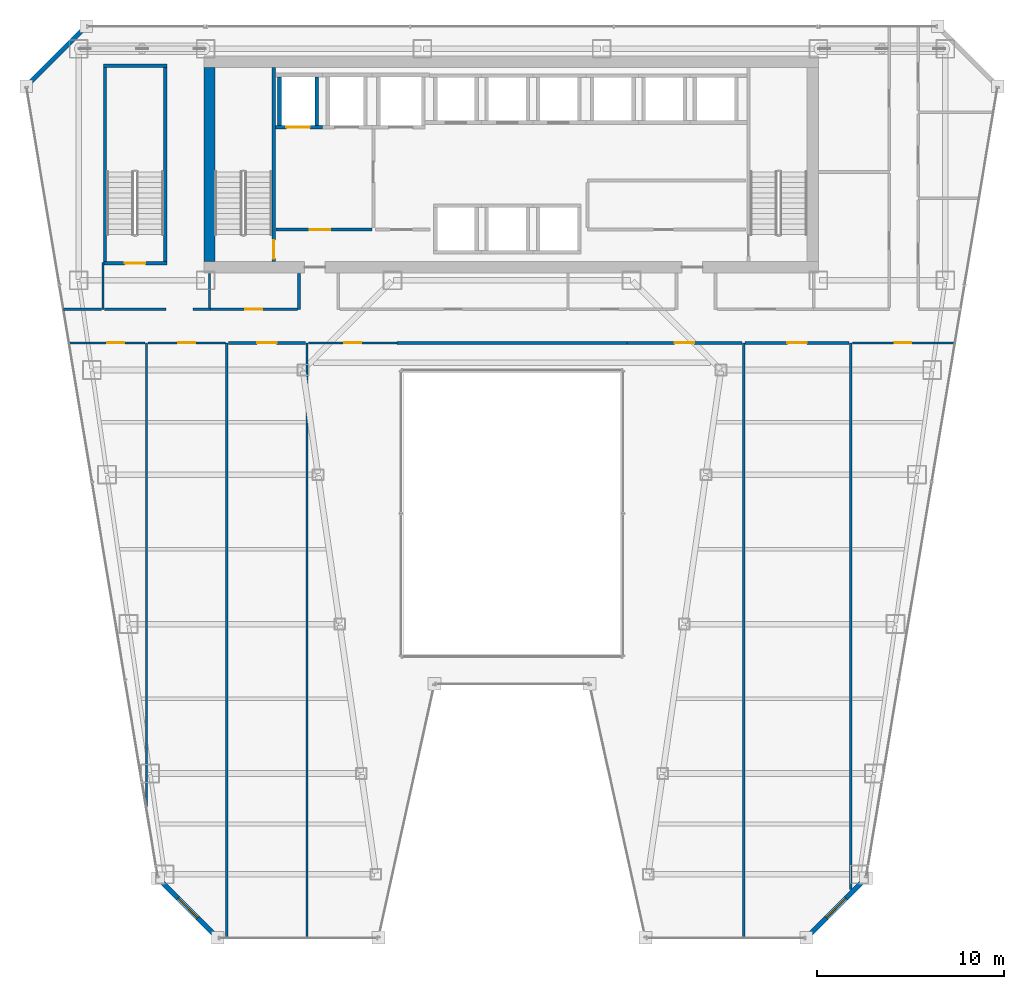
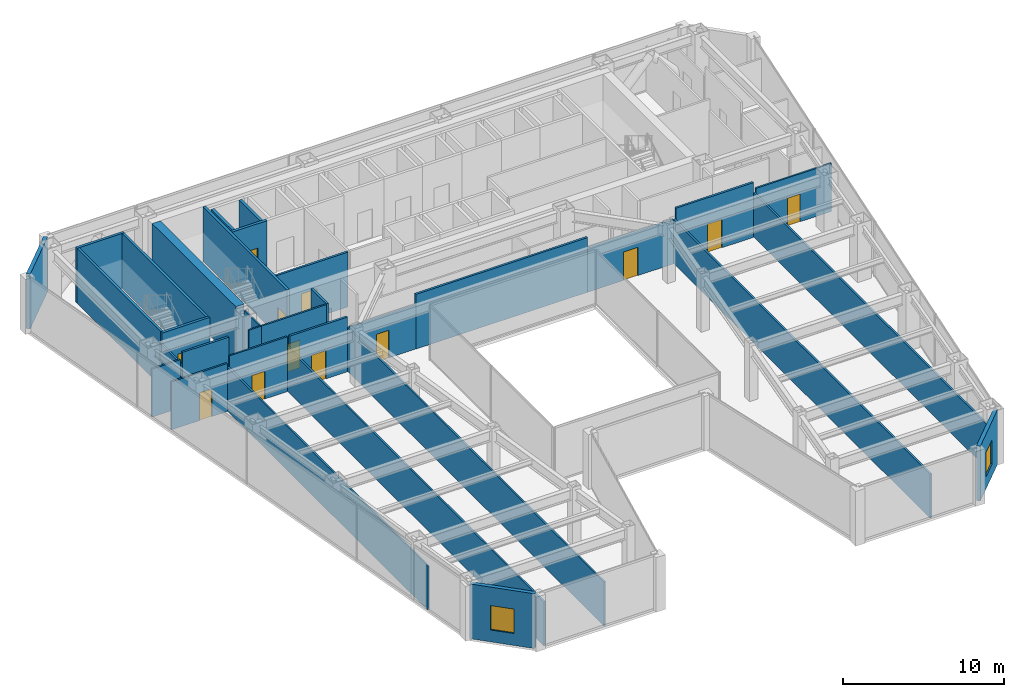
# One storey, part 32 of 37: 33 walls, 12 doors, 2 windows, 14 openings.
"""IFC4 building model written with IfcOpenShell, lengths in metres."""

from ifc_helpers import new_model, si_unit, direction, frame, frame_2d, origin, place, context, subcontext, project, spatial, rectangle, extrude, material, layer, layer_set, type_object, element, fill, save


model = new_model("IFC4")

# Units and contexts
model_context = context("Model", 3, precision=1e-05, world=origin(), true_north=direction((0.0, 1.0)))
body_context = subcontext(model_context, "Body", "Model", "MODEL_VIEW")
ifc_project = project(units=[si_unit("LENGTHUNIT", "METRE"), si_unit("AREAUNIT", "SQUARE_METRE"), si_unit("VOLUMEUNIT", "CUBIC_METRE"), si_unit("PLANEANGLEUNIT", "RADIAN"), si_unit("MASSUNIT", "GRAM", prefix="KILO")], contexts=[model_context])

# Site, building, storey
site_placement = place(None, origin())
site = spatial("IfcSite", under=ifc_project, at=site_placement, CompositionType="ELEMENT")
building_placement = place(site_placement, origin())
building = spatial("IfcBuilding", under=site, at=building_placement, Name="Saevonmaru Cultural Tower", CompositionType="ELEMENT")
storey_placement = place(building_placement, frame((0.0, 0.0, 114.800048828125)))
storey = spatial("IfcBuildingStorey", under=building, at=storey_placement, Name="L24", CompositionType="ELEMENT", Elevation=114.800048828125)

# Wall
ifc_material_1 = material(Name="Concrete C60/75", Category="concrete")
ifc_layer_1 = layer(ifc_material_1, 0.60009765625, Name="Concrete C60/75")
ifc_layer_set_1 = layer_set([ifc_layer_1], Name="Concrete C60/75")
wall_type_1 = type_object("IfcWallType", Name="WL-CORE-600", PredefinedType="SHEAR", material=ifc_layer_set_1)
wall_1_placement = place(storey_placement, frame((13.800048828125, 43.39990234375, 0.0), z_axis=(0.0, 0.0, 1.0), x_axis=(0.0, 1.0, 0.0)))
element("IfcWall", 1, at=wall_1_placement, inside=storey, type_object=wall_type_1, Name="L24 Tower RC core shear wall W", PredefinedType="SHEAR", context=body_context, shape_type="SweptSolid", body=[
    extrude(rectangle(XDim=10.400146484375, YDim=0.60009765625, at=frame_2d((5.2001953125, 0.0))), origin(), (0.0, 0.0, 1.0), 4.14990234375),
])

# Wall, opening, door
ifc_material_2 = material(Name="Gypsum Fireboard Partition", Category="gypsum")
ifc_layer_2 = layer(ifc_material_2, 0.14990234375, Name="Gypsum Fireboard Partition")
ifc_layer_set_2 = layer_set([ifc_layer_2], Name="Gypsum Fireboard Partition")
wall_type_2 = type_object("IfcWallType", Name="WL-CORE-PART-150", PredefinedType="PARTITIONING", material=ifc_layer_set_2)
wall_2_placement = place(storey_placement, frame((17.360107421875, 45.1201171875, 0.0), z_axis=(0.0, 0.0, 1.0), x_axis=(1.0, 0.0, 0.0)))
wall_2 = element("IfcWall", 2, at=wall_2_placement, inside=storey, type_object=wall_type_2, Name="L24 Firefighting Lift Lobby South Wall", PredefinedType="PARTITIONING", context=body_context, shape_type="SweptSolid", body=[
    extrude(rectangle(XDim=5.139892578125, YDim=0.14990234375, at=frame_2d((2.56982421875, 0.0))), origin(), (0.0, 0.0, 1.0), 4.14990234375),
])
opening_1_placement = place(wall_2_placement, frame((1.800048828125, 0.0, 0.0)))
opening_1 = element("IfcOpeningElement", 3, at=opening_1_placement, cuts=wall_2, Name="Opening FD-2", PredefinedType="OPENING", context=body_context, shape_type="SweptSolid", body=[
    extrude(rectangle(XDim=1.10009765625, YDim=2.14990234375, at=frame_2d((0.550048828125, 1.074951171875))), frame((0.0, 0.0849609375, 0.0), z_axis=(0.0, -1.0, 0.0), x_axis=(1.0, 0.0, 0.0)), (0.0, 0.0, 1.0), 0.169921875),
])
ifc_material_3 = material(Name="Satin Bronze Anodised Aluminium", Category="aluminium")
door_type_1 = type_object("IfcDoorType", Name="DR-FD60-1100", OperationType="SINGLE_SWING_LEFT", PredefinedType="DOOR", material=ifc_material_3)
door_1_placement = place(opening_1_placement, origin())
door_1 = element("IfcDoor", 4, at=door_1_placement, inside=storey, type_object=door_type_1, Name="L24 Firefighting Lift Lobby South Door", OperationType="SINGLE_SWING_LEFT", OverallHeight=2.14990234375, OverallWidth=1.10009765625, PredefinedType="DOOR", context=body_context, shape_type="SweptSolid", body=[
    extrude(rectangle(XDim=1.10009765625, YDim=2.14990234375, at=frame_2d((0.550048828125, 1.074951171875))), frame((0.0, 0.02490234375, 0.0), z_axis=(0.0, -1.0, 0.0), x_axis=(1.0, 0.0, 0.0)), (0.0, 0.0, 1.0), 0.050048828125),
])
fill(opening_1, door_1)

# Wall, opening, window
ifc_material_4 = material(Name="Granite-Clad Precast Concrete C40/50", Category="masonry")
ifc_layer_3 = layer(ifc_material_4, 0.260009765625, Name="Granite-Clad Precast Concrete C40/50")
ifc_layer_set_3 = layer_set([ifc_layer_3], Name="Granite-Clad Precast Concrete C40/50")
wall_type_3 = type_object("IfcWallType", Name="WL-EXT-SPANDREL-260", PredefinedType="STANDARD", material=ifc_layer_set_3)
wall_3_placement = place(storey_placement, frame((11.162109375, 10.286865234375, 0.0), z_axis=(0.0, 0.0, 1.0), x_axis=(0.70707775441, -0.707135806771, 0.0)))
wall_3 = element("IfcWall", 5, at=wall_3_placement, inside=storey, type_object=wall_type_3, Name="L24 Chamfer Corner Spandrel Wall E1", PredefinedType="STANDARD", context=body_context, shape_type="SweptSolid", body=[
    extrude(rectangle(XDim=4.20556640625, YDim=0.260009765625, at=frame_2d((2.102783203125, 0.0))), origin(), (0.0, 0.0, 1.0), 4.14990234375),
])
opening_2_placement = place(wall_3_placement, frame((1.35302734375, 0.0, 0.89990234375)))
opening_2 = element("IfcOpeningElement", 6, at=opening_2_placement, cuts=wall_3, Name="Opening W-2B", PredefinedType="OPENING", context=body_context, shape_type="SweptSolid", body=[
    extrude(rectangle(XDim=1.5, YDim=1.85009765625, at=frame_2d((0.75, 0.925048828125))), frame((0.0, 0.14013671875, 0.0), z_axis=(0.0, -1.0, 0.0), x_axis=(1.0, 0.0, 0.0)), (0.0, 0.0, 1.0), 0.280029296875),
])
window_type = type_object("IfcWindowType", Name="WN-DECO-1500x1850", PartitioningType="SINGLE_PANEL", PredefinedType="WINDOW", material=ifc_material_3)
window_1_placement = place(opening_2_placement, origin())
window_1 = element("IfcWindow", 7, at=window_1_placement, inside=storey, type_object=window_type, Name="L24 Chamfer Corner Bronze Window E1", OverallHeight=1.85009765625, OverallWidth=1.5, PartitioningType="SINGLE_PANEL", PredefinedType="WINDOW", context=body_context, shape_type="SweptSolid", body=[
    extrude(rectangle(XDim=1.5, YDim=1.85009765625, at=frame_2d((0.75, 0.925048828125))), frame((0.0, 0.030029296875, 0.0), z_axis=(0.0, -1.0, 0.0), x_axis=(1.0, 0.0, 0.0)), (0.0, 0.0, 1.0), 0.06005859375),
])
fill(opening_2, window_1)

wall_4_placement = place(storey_placement, frame((45.8642578125, 7.31298828125, 0.0), z_axis=(0.0, 0.0, 1.0), x_axis=(0.70707775441, 0.707135806771, 0.0)))
wall_4 = element("IfcWall", 8, at=wall_4_placement, inside=storey, type_object=wall_type_3, Name="L24 Chamfer Corner Spandrel Wall E7", PredefinedType="STANDARD", context=body_context, shape_type="SweptSolid", body=[
    extrude(rectangle(XDim=4.20556640625, YDim=0.260009765625, at=frame_2d((2.102783203125, 0.0))), origin(), (0.0, 0.0, 1.0), 4.14990234375),
])
opening_3_placement = place(wall_4_placement, frame((1.35302734375, 0.0, 0.89990234375)))
opening_3 = element("IfcOpeningElement", 9, at=opening_3_placement, cuts=wall_4, Name="Opening W-2B", PredefinedType="OPENING", context=body_context, shape_type="SweptSolid", body=[
    extrude(rectangle(XDim=1.5, YDim=1.85009765625, at=frame_2d((0.75, 0.925048828125))), frame((0.0, 0.14013671875, 0.0), z_axis=(0.0, -1.0, 0.0), x_axis=(1.0, 0.0, 0.0)), (0.0, 0.0, 1.0), 0.280029296875),
])
window_2_placement = place(opening_3_placement, origin())
window_2 = element("IfcWindow", 10, at=window_2_placement, inside=storey, type_object=window_type, Name="L24 Chamfer Corner Bronze Window E7", OverallHeight=1.85009765625, OverallWidth=1.5, PartitioningType="SINGLE_PANEL", PredefinedType="WINDOW", context=body_context, shape_type="SweptSolid", body=[
    extrude(rectangle(XDim=1.5, YDim=1.85009765625, at=frame_2d((0.75, 0.925048828125))), frame((0.0, 0.030029296875, 0.0), z_axis=(0.0, -1.0, 0.0), x_axis=(1.0, 0.0, 0.0)), (0.0, 0.0, 1.0), 0.06005859375),
])
fill(opening_3, window_2)

# Walls
wall_5_placement = place(storey_placement, frame((7.0869140625, 55.886962890625, 0.0), z_axis=(0.0, 0.0, 1.0), x_axis=(-0.707106781187, -0.707106781187, 0.0)))
element("IfcWall", 11, at=wall_5_placement, inside=storey, type_object=wall_type_3, Name="L24 Chamfer Corner Spandrel Wall E11", PredefinedType="STANDARD", context=body_context, shape_type="SweptSolid", body=[
    extrude(rectangle(XDim=4.205810546875, YDim=0.260009765625, at=frame_2d((2.10302734375, 0.0))), origin(), (0.0, 0.0, 1.0), 4.14990234375),
])
ifc_layer_4 = layer(ifc_material_2, 0.14990234375, Name="Gypsum Fireboard Partition")
ifc_layer_set_4 = layer_set([ifc_layer_4], Name="Gypsum Fireboard Partition")
wall_type_4 = type_object("IfcWallType", Name="WL-PART-FIRE-150", PredefinedType="PARTITIONING", material=ifc_layer_set_4)
wall_6_placement = place(storey_placement, frame((8.179931640625, 40.85009765625, 0.0), z_axis=(0.0, 0.0, 1.0), x_axis=(1.0, 0.0, 0.0)))
element("IfcWall", 12, at=wall_6_placement, inside=storey, type_object=wall_type_4, Name="L24 Stair ST-3 South Vestibule Wall", PredefinedType="PARTITIONING", context=body_context, shape_type="SweptSolid", body=[
    extrude(rectangle(XDim=3.300048828125, YDim=0.14990234375, at=frame_2d((1.64990234375, 0.0))), origin(), (0.0, 0.0, 1.0), 4.14990234375),
])
wall_7_placement = place(storey_placement, frame((18.60009765625, 40.85009765625, 0.0), z_axis=(0.0, 0.0, 1.0), x_axis=(0.0, 1.0, 0.0)))
element("IfcWall", 13, at=wall_7_placement, inside=storey, type_object=wall_type_4, Name="L24 Core Portal Side Wall W1", PredefinedType="PARTITIONING", context=body_context, shape_type="SweptSolid", body=[
    extrude(rectangle(XDim=1.929931640625, YDim=0.14990234375, at=frame_2d((0.96484375, 0.0))), origin(), (0.0, 0.0, 1.0), 4.14990234375),
])

# Wall, opening, door
wall_8_placement = place(storey_placement, frame((14.81005859375, 39.050048828125, 0.0), z_axis=(0.0, 0.0, 1.0), x_axis=(1.0, 0.0, 0.0)))
wall_8 = element("IfcWall", 14, at=wall_8_placement, inside=storey, type_object=wall_type_4, Name="L24 Sculpture Study Gallery Corridor Wall", PredefinedType="PARTITIONING", context=body_context, shape_type="SweptSolid", body=[
    extrude(rectangle(XDim=4.139892578125, YDim=0.14990234375, at=frame_2d((2.06982421875, 0.0))), origin(), (0.0, 0.0, 1.0), 4.14990234375),
])
opening_4_placement = place(wall_8_placement, frame((1.544921875, 0.0, 0.0)))
opening_4 = element("IfcOpeningElement", 15, at=opening_4_placement, cuts=wall_8, Name="Opening ID-1", PredefinedType="OPENING", context=body_context, shape_type="SweptSolid", body=[
    extrude(rectangle(XDim=1.050048828125, YDim=2.14990234375, at=frame_2d((0.52490234375, 1.074951171875))), frame((0.0, 0.0849609375, 0.0), z_axis=(0.0, -1.0, 0.0), x_axis=(1.0, 0.0, 0.0)), (0.0, 0.0, 1.0), 0.169921875),
])
door_type_2 = type_object("IfcDoorType", Name="DR-INT-1050", OperationType="SINGLE_SWING_LEFT", PredefinedType="DOOR", material=ifc_material_3)
door_2_placement = place(opening_4_placement, origin())
door_2 = element("IfcDoor", 16, at=door_2_placement, inside=storey, type_object=door_type_2, Name="L24 Sculpture Study Gallery Door", OperationType="SINGLE_SWING_LEFT", OverallHeight=2.14990234375, OverallWidth=1.050048828125, PredefinedType="DOOR", context=body_context, shape_type="SweptSolid", body=[
    extrude(rectangle(XDim=1.050048828125, YDim=2.14990234375, at=frame_2d((0.52490234375, 1.074951171875))), frame((0.0, 0.02490234375, 0.0), z_axis=(0.0, -1.0, 0.0), x_axis=(1.0, 0.0, 0.0)), (0.0, 0.0, 1.0), 0.050048828125),
])
fill(opening_4, door_2)

# Wall
wall_9_placement = place(storey_placement, frame((23.85009765625, 39.050048828125, 0.0), z_axis=(0.0, 0.0, 1.0), x_axis=(1.0, 0.0, 0.0)))
element("IfcWall", 17, at=wall_9_placement, inside=storey, type_object=wall_type_4, Name="L24 North Atrium Corridor Wall", PredefinedType="PARTITIONING", context=body_context, shape_type="SweptSolid", body=[
    extrude(rectangle(XDim=12.2998046875, YDim=0.14990234375, at=frame_2d((6.14990234375, 0.0))), origin(), (0.0, 0.0, 1.0), 4.14990234375),
])

# Wall, opening, door
wall_10_placement = place(storey_placement, frame((36.14990234375, 39.050048828125, 0.0), z_axis=(0.0, 0.0, 1.0), x_axis=(1.0, 0.0, 0.0)))
wall_10 = element("IfcWall", 18, at=wall_10_placement, inside=storey, type_object=wall_type_4, Name="L24 Sculpture Study Gallery Corridor Wall", PredefinedType="PARTITIONING", context=body_context, shape_type="SweptSolid", body=[
    extrude(rectangle(XDim=6.16259765625, YDim=0.14990234375, at=frame_2d((3.081298828125, 0.0))), origin(), (0.0, 0.0, 1.0), 3.3349609375),
])
opening_5_placement = place(wall_10_placement, frame((2.555908203125, 0.0, 0.0)))
opening_5 = element("IfcOpeningElement", 19, at=opening_5_placement, cuts=wall_10, Name="Opening ID-1", PredefinedType="OPENING", context=body_context, shape_type="SweptSolid", body=[
    extrude(rectangle(XDim=1.050048828125, YDim=2.14990234375, at=frame_2d((0.52490234375, 1.074951171875))), frame((0.0, 0.0849609375, 0.0), z_axis=(0.0, -1.0, 0.0), x_axis=(1.0, 0.0, 0.0)), (0.0, 0.0, 1.0), 0.169921875),
])
door_3_placement = place(opening_5_placement, origin())
door_3 = element("IfcDoor", 20, at=door_3_placement, inside=storey, type_object=door_type_2, Name="L24 Sculpture Study Gallery Door", OperationType="SINGLE_SWING_LEFT", OverallHeight=2.14990234375, OverallWidth=1.050048828125, PredefinedType="DOOR", context=body_context, shape_type="SweptSolid", body=[
    extrude(rectangle(XDim=1.050048828125, YDim=2.14990234375, at=frame_2d((0.52490234375, 1.074951171875))), frame((0.0, 0.02490234375, 0.0), z_axis=(0.0, -1.0, 0.0), x_axis=(1.0, 0.0, 0.0)), (0.0, 0.0, 1.0), 0.050048828125),
])
fill(opening_5, door_3)

wall_11_placement = place(storey_placement, frame((42.487548828125, 39.050048828125, 0.0), z_axis=(0.0, 0.0, 1.0), x_axis=(1.0, 0.0, 0.0)))
wall_11 = element("IfcWall", 21, at=wall_11_placement, inside=storey, type_object=wall_type_4, Name="L24 Contemporary Photography Gallery Corridor Wall", PredefinedType="PARTITIONING", context=body_context, shape_type="SweptSolid", body=[
    extrude(rectangle(XDim=5.554931640625, YDim=0.14990234375, at=frame_2d((2.77734375, 0.0))), origin(), (0.0, 0.0, 1.0), 4.14990234375),
])
opening_6_placement = place(wall_11_placement, frame((2.251953125, 0.0, 0.0)))
opening_6 = element("IfcOpeningElement", 22, at=opening_6_placement, cuts=wall_11, Name="Opening ID-1", PredefinedType="OPENING", context=body_context, shape_type="SweptSolid", body=[
    extrude(rectangle(XDim=1.050048828125, YDim=2.14990234375, at=frame_2d((0.52490234375, 1.074951171875))), frame((0.0, 0.0849609375, 0.0), z_axis=(0.0, -1.0, 0.0), x_axis=(1.0, 0.0, 0.0)), (0.0, 0.0, 1.0), 0.169921875),
])
door_4_placement = place(opening_6_placement, origin())
door_4 = element("IfcDoor", 23, at=door_4_placement, inside=storey, type_object=door_type_2, Name="L24 Contemporary Photography Gallery Door", OperationType="SINGLE_SWING_RIGHT", OverallHeight=2.14990234375, OverallWidth=1.050048828125, PredefinedType="DOOR", context=body_context, shape_type="SweptSolid", body=[
    extrude(rectangle(XDim=1.050048828125, YDim=2.14990234375, at=frame_2d((0.52490234375, 1.074951171875))), frame((0.0, 0.02490234375, 0.0), z_axis=(0.0, -1.0, 0.0), x_axis=(1.0, 0.0, 0.0)), (0.0, 0.0, 1.0), 0.050048828125),
])
fill(opening_6, door_4)

# Walls
ifc_layer_5 = layer(ifc_material_2, 0.1201171875, Name="Gypsum Fireboard Partition")
ifc_layer_set_5 = layer_set([ifc_layer_5], Name="Gypsum Fireboard Partition")
wall_type_5 = type_object("IfcWallType", Name="WL-PART-GYP-120", PredefinedType="PARTITIONING", material=ifc_layer_set_5)
wall_12_placement = place(storey_placement, frame((12.919921875, 40.85009765625, 0.0), z_axis=(0.0, 0.0, 1.0), x_axis=(1.0, 0.0, 0.0)))
element("IfcWall", 24, at=wall_12_placement, inside=storey, type_object=wall_type_5, Name="L24 NW Inner South Wall", PredefinedType="PARTITIONING", context=body_context, shape_type="SweptSolid", body=[
    extrude(rectangle(XDim=0.93017578125, YDim=0.1201171875, at=frame_2d((0.465087890625, 0.0))), origin(), (0.0, 0.0, 1.0), 4.14990234375),
])
wall_13_placement = place(storey_placement, frame((13.800048828125, 40.929931640625, 0.0), z_axis=(0.0, 0.0, 1.0), x_axis=(0.0, 1.0, 0.0)))
element("IfcWall", 25, at=wall_13_placement, inside=storey, type_object=wall_type_5, Name="L24 NW Inner Core Return", PredefinedType="PARTITIONING", context=body_context, shape_type="SweptSolid", body=[
    extrude(rectangle(XDim=1.85009765625, YDim=0.1201171875, at=frame_2d((0.925048828125, 0.0))), origin(), (0.0, 0.0, 1.0), 4.14990234375),
])
wall_14_placement = place(storey_placement, frame((8.10009765625, 40.85009765625, 0.0), z_axis=(0.0, 0.0, 1.0), x_axis=(0.0, 1.0, 0.0)))
element("IfcWall", 26, at=wall_14_placement, inside=storey, type_object=wall_type_5, Name="L24 NW Stair Return", PredefinedType="PARTITIONING", context=body_context, shape_type="SweptSolid", body=[
    extrude(rectangle(XDim=2.5, YDim=0.1201171875, at=frame_2d((1.25, 0.0))), origin(), (0.0, 0.0, 1.0), 3.3349609375),
])
wall_15_placement = place(storey_placement, frame((5.99169921875, 40.85009765625, 0.0), z_axis=(0.0, 0.0, 1.0), x_axis=(1.0, 0.0, 0.0)))
element("IfcWall", 27, at=wall_15_placement, inside=storey, type_object=wall_type_5, Name="L24 Digital Humanities Office Corridor Wall", PredefinedType="PARTITIONING", context=body_context, shape_type="SweptSolid", body=[
    extrude(rectangle(XDim=2.0283203125, YDim=0.1201171875, at=frame_2d((1.01416015625, 0.0))), origin(), (0.0, 0.0, 1.0), 3.635009765625),
])

# Wall, opening, door
wall_16_placement = place(storey_placement, frame((13.85009765625, 40.85009765625, 0.0), z_axis=(0.0, 0.0, 1.0), x_axis=(1.0, 0.0, 0.0)))
wall_16 = element("IfcWall", 28, at=wall_16_placement, inside=storey, type_object=wall_type_5, Name="L24 Visiting Fellows Office Corridor Wall", PredefinedType="PARTITIONING", context=body_context, shape_type="SweptSolid", body=[
    extrude(rectangle(XDim=4.65478515625, YDim=0.1201171875, at=frame_2d((2.327392578125, 0.0))), origin(), (0.0, 0.0, 1.0), 4.14990234375),
])
opening_7_placement = place(wall_16_placement, frame((1.876953125, 0.0, 0.0)))
opening_7 = element("IfcOpeningElement", 29, at=opening_7_placement, cuts=wall_16, Name="Opening ID-2", PredefinedType="OPENING", context=body_context, shape_type="SweptSolid", body=[
    extrude(rectangle(XDim=0.89990234375, YDim=2.10009765625, at=frame_2d((0.449951171875, 1.050048828125))), frame((0.0, 0.070068359375, 0.0), z_axis=(0.0, -1.0, 0.0), x_axis=(1.0, 0.0, 0.0)), (0.0, 0.0, 1.0), 0.14013671875),
])
ifc_material_5 = material(Name="Acoustic Stained Oak Timber", Category="wood")
door_type_3 = type_object("IfcDoorType", Name="DR-INT-900", OperationType="SINGLE_SWING_RIGHT", PredefinedType="DOOR", material=ifc_material_5)
door_5_placement = place(opening_7_placement, origin())
door_5 = element("IfcDoor", 30, at=door_5_placement, inside=storey, type_object=door_type_3, Name="L24 Visiting Fellows Office Door", OperationType="SINGLE_SWING_LEFT", OverallHeight=2.10009765625, OverallWidth=0.89990234375, PredefinedType="DOOR", context=body_context, shape_type="SweptSolid", body=[
    extrude(rectangle(XDim=0.89990234375, YDim=2.10009765625, at=frame_2d((0.449951171875, 1.050048828125))), frame((0.0, 0.02490234375, 0.0), z_axis=(0.0, -1.0, 0.0), x_axis=(1.0, 0.0, 0.0)), (0.0, 0.0, 1.0), 0.050048828125),
])
fill(opening_7, door_5)

# Walls
wall_17_placement = place(storey_placement, frame((10.429931640625, 14.1533203125, 0.0), z_axis=(0.0, 0.0, 1.0), x_axis=(0.0, 1.0, 0.0)))
element("IfcWall", 31, at=wall_17_placement, inside=storey, type_object=wall_type_5, Name="L24 West Bay Divider 1", PredefinedType="PARTITIONING", context=body_context, shape_type="SweptSolid", body=[
    extrude(rectangle(XDim=24.896728515625, YDim=0.1201171875, at=frame_2d((12.4482421875, 0.0))), origin(), (0.0, 0.0, 1.0), 3.3349609375),
])
for number, where, z_axis, x_axis, name in (
    (32, (14.72998046875, 7.205078125, 0.0), (0.0, 0.0, 1.0), (0.0, 1.0, 0.0), "L24 West Bay Divider 2"),
    (33, (19.030029296875, 7.205078125, 0.0), (0.0, 0.0, 1.0), (0.0, 1.0, 0.0), "L24 West Bay Divider 3"),
):
    element("IfcWall", number, at=place(storey_placement, frame(where, z_axis=z_axis, x_axis=x_axis)), inside=storey, type_object=wall_type_5, Name=name, PredefinedType="PARTITIONING", context=body_context, shape_type="SweptSolid", body=[
        extrude(rectangle(XDim=31.844970703125, YDim=0.1201171875, at=frame_2d((15.92236328125, 0.0))), origin(), (0.0, 0.0, 1.0), 3.3349609375),
    ])

# Wall, opening, door
wall_18_placement = place(storey_placement, frame((6.348388671875, 39.050048828125, 0.0), z_axis=(0.0, 0.0, 1.0), x_axis=(1.0, 0.0, 0.0)))
wall_18 = element("IfcWall", 34, at=wall_18_placement, inside=storey, type_object=wall_type_5, Name="L24 Visiting Fellows Office Corridor Wall", PredefinedType="PARTITIONING", context=body_context, shape_type="SweptSolid", body=[
    extrude(rectangle(XDim=4.001708984375, YDim=0.1201171875, at=frame_2d((2.0009765625, 0.0))), origin(), (0.0, 0.0, 1.0), 3.635009765625),
])
opening_8_placement = place(wall_18_placement, frame((1.990966796875, 0.0, 0.0)))
opening_8 = element("IfcOpeningElement", 35, at=opening_8_placement, cuts=wall_18, Name="Opening ID-2", PredefinedType="OPENING", context=body_context, shape_type="SweptSolid", body=[
    extrude(rectangle(XDim=0.89990234375, YDim=2.10009765625, at=frame_2d((0.449951171875, 1.050048828125))), frame((0.0, 0.070068359375, 0.0), z_axis=(0.0, -1.0, 0.0), x_axis=(1.0, 0.0, 0.0)), (0.0, 0.0, 1.0), 0.14013671875),
])
door_6_placement = place(opening_8_placement, origin())
door_6 = element("IfcDoor", 36, at=door_6_placement, inside=storey, type_object=door_type_3, Name="L24 Visiting Fellows Office Door", OperationType="SINGLE_SWING_LEFT", OverallHeight=2.10009765625, OverallWidth=0.89990234375, PredefinedType="DOOR", context=body_context, shape_type="SweptSolid", body=[
    extrude(rectangle(XDim=0.89990234375, YDim=2.10009765625, at=frame_2d((0.449951171875, 1.050048828125))), frame((0.0, 0.02490234375, 0.0), z_axis=(0.0, -1.0, 0.0), x_axis=(1.0, 0.0, 0.0)), (0.0, 0.0, 1.0), 0.050048828125),
])
fill(opening_8, door_6)

wall_19_placement = place(storey_placement, frame((10.510009765625, 39.050048828125, 0.0), z_axis=(0.0, 0.0, 1.0), x_axis=(1.0, 0.0, 0.0)))
wall_19 = element("IfcWall", 37, at=wall_19_placement, inside=storey, type_object=wall_type_5, Name="L24 Digital Humanities Office Corridor Wall", PredefinedType="PARTITIONING", context=body_context, shape_type="SweptSolid", body=[
    extrude(rectangle(XDim=4.139892578125, YDim=0.1201171875, at=frame_2d((2.06982421875, 0.0))), origin(), (0.0, 0.0, 1.0), 4.14990234375),
])
opening_9_placement = place(wall_19_placement, frame((1.6201171875, 0.0, 0.0)))
opening_9 = element("IfcOpeningElement", 38, at=opening_9_placement, cuts=wall_19, Name="Opening ID-2", PredefinedType="OPENING", context=body_context, shape_type="SweptSolid", body=[
    extrude(rectangle(XDim=0.89990234375, YDim=2.10009765625, at=frame_2d((0.449951171875, 1.050048828125))), frame((0.0, 0.070068359375, 0.0), z_axis=(0.0, -1.0, 0.0), x_axis=(1.0, 0.0, 0.0)), (0.0, 0.0, 1.0), 0.14013671875),
])
door_7_placement = place(opening_9_placement, origin())
door_7 = element("IfcDoor", 39, at=door_7_placement, inside=storey, type_object=door_type_3, Name="L24 Digital Humanities Office Door", OperationType="SINGLE_SWING_RIGHT", OverallHeight=2.10009765625, OverallWidth=0.89990234375, PredefinedType="DOOR", context=body_context, shape_type="SweptSolid", body=[
    extrude(rectangle(XDim=0.89990234375, YDim=2.10009765625, at=frame_2d((0.449951171875, 1.050048828125))), frame((0.0, 0.02490234375, 0.0), z_axis=(0.0, -1.0, 0.0), x_axis=(1.0, 0.0, 0.0)), (0.0, 0.0, 1.0), 0.050048828125),
])
fill(opening_9, door_7)

wall_20_placement = place(storey_placement, frame((19.110107421875, 39.050048828125, 0.0), z_axis=(0.0, 0.0, 1.0), x_axis=(1.0, 0.0, 0.0)))
wall_20 = element("IfcWall", 40, at=wall_20_placement, inside=storey, type_object=wall_type_5, Name="L24 Visiting Fellows Office Corridor Wall", PredefinedType="PARTITIONING", context=body_context, shape_type="SweptSolid", body=[
    extrude(rectangle(XDim=4.739990234375, YDim=0.1201171875, at=frame_2d((2.3701171875, 0.0))), origin(), (0.0, 0.0, 1.0), 3.3349609375),
])
opening_10_placement = place(wall_20_placement, frame((1.919921875, 0.0, 0.0)))
opening_10 = element("IfcOpeningElement", 41, at=opening_10_placement, cuts=wall_20, Name="Opening ID-2", PredefinedType="OPENING", context=body_context, shape_type="SweptSolid", body=[
    extrude(rectangle(XDim=0.89990234375, YDim=2.10009765625, at=frame_2d((0.449951171875, 1.050048828125))), frame((0.0, 0.070068359375, 0.0), z_axis=(0.0, -1.0, 0.0), x_axis=(1.0, 0.0, 0.0)), (0.0, 0.0, 1.0), 0.14013671875),
])
door_8_placement = place(opening_10_placement, origin())
door_8 = element("IfcDoor", 42, at=door_8_placement, inside=storey, type_object=door_type_3, Name="L24 Visiting Fellows Office Door", OperationType="SINGLE_SWING_RIGHT", OverallHeight=2.10009765625, OverallWidth=0.89990234375, PredefinedType="DOOR", context=body_context, shape_type="SweptSolid", body=[
    extrude(rectangle(XDim=0.89990234375, YDim=2.10009765625, at=frame_2d((0.449951171875, 1.050048828125))), frame((0.0, 0.02490234375, 0.0), z_axis=(0.0, -1.0, 0.0), x_axis=(1.0, 0.0, 0.0)), (0.0, 0.0, 1.0), 0.050048828125),
])
fill(opening_10, door_8)

wall_21_placement = place(storey_placement, frame((48.217529296875, 39.050048828125, 0.0), z_axis=(0.0, 0.0, 1.0), x_axis=(1.0, 0.0, 0.0)))
wall_21 = element("IfcWall", 43, at=wall_21_placement, inside=storey, type_object=wall_type_5, Name="L24 Digital Media Classroom Corridor Wall", PredefinedType="PARTITIONING", context=body_context, shape_type="SweptSolid", body=[
    extrude(rectangle(XDim=5.43408203125, YDim=0.1201171875, at=frame_2d((2.717041015625, 0.0))), origin(), (0.0, 0.0, 1.0), 3.635009765625),
])
opening_11_placement = place(wall_21_placement, frame((2.26708984375, 0.0, 0.0)))
opening_11 = element("IfcOpeningElement", 44, at=opening_11_placement, cuts=wall_21, Name="Opening ID-2", PredefinedType="OPENING", context=body_context, shape_type="SweptSolid", body=[
    extrude(rectangle(XDim=0.89990234375, YDim=2.10009765625, at=frame_2d((0.449951171875, 1.050048828125))), frame((0.0, 0.070068359375, 0.0), z_axis=(0.0, -1.0, 0.0), x_axis=(1.0, 0.0, 0.0)), (0.0, 0.0, 1.0), 0.14013671875),
])
door_9_placement = place(opening_11_placement, origin())
door_9 = element("IfcDoor", 45, at=door_9_placement, inside=storey, type_object=door_type_3, Name="L24 Digital Media Classroom Door", OperationType="SINGLE_SWING_LEFT", OverallHeight=2.10009765625, OverallWidth=0.89990234375, PredefinedType="DOOR", context=body_context, shape_type="SweptSolid", body=[
    extrude(rectangle(XDim=0.89990234375, YDim=2.10009765625, at=frame_2d((0.449951171875, 1.050048828125))), frame((0.0, 0.02490234375, 0.0), z_axis=(0.0, -1.0, 0.0), x_axis=(1.0, 0.0, 0.0)), (0.0, 0.0, 1.0), 0.050048828125),
])
fill(opening_11, door_9)

# Walls
ifc_layer_6 = layer(ifc_material_2, 0.135009765625, Name="Gypsum Fireboard Partition")
ifc_layer_set_6 = layer_set([ifc_layer_6], Name="Gypsum Fireboard Partition")
wall_type_6 = type_object("IfcWallType", Name="WL-PART-GYP-135", PredefinedType="PARTITIONING", material=ifc_layer_set_6)
wall_22_placement = place(storey_placement, frame((42.39990234375, 7.205078125, 0.0), z_axis=(0.0, 0.0, 1.0), x_axis=(0.0, 1.0, 0.0)))
element("IfcWall", 46, at=wall_22_placement, inside=storey, type_object=wall_type_6, Name="L24 East Bay Divider 1", PredefinedType="PARTITIONING", context=body_context, shape_type="SweptSolid", body=[
    extrude(rectangle(XDim=31.844970703125, YDim=0.135009765625, at=frame_2d((15.92236328125, 0.0))), origin(), (0.0, 0.0, 1.0), 3.3349609375),
])
wall_23_placement = place(storey_placement, frame((48.1298828125, 9.791015625, 0.0), z_axis=(0.0, 0.0, 1.0), x_axis=(0.0, 1.0, 0.0)))
element("IfcWall", 47, at=wall_23_placement, inside=storey, type_object=wall_type_6, Name="L24 East Bay Divider 2", PredefinedType="PARTITIONING", context=body_context, shape_type="SweptSolid", body=[
    extrude(rectangle(XDim=29.259033203125, YDim=0.135009765625, at=frame_2d((14.62939453125, 0.0))), origin(), (0.0, 0.0, 1.0), 3.3349609375),
])

# Wall, opening, door
ifc_material_6 = material(Name="Concrete C40/50", Category="concrete")
ifc_layer_7 = layer(ifc_material_6, 0.199951171875, Name="Concrete C40/50")
ifc_layer_set_7 = layer_set([ifc_layer_7], Name="Concrete C40/50")
wall_type_7 = type_object("IfcWallType", Name="WL-SHAFT-200", PredefinedType="SHEAR", material=ifc_layer_set_7)
wall_24_placement = place(storey_placement, frame((17.330078125, 50.60009765625, 0.0), z_axis=(0.0, 0.0, 1.0), x_axis=(1.0, 0.0, 0.0)))
wall_24 = element("IfcWall", 48, at=wall_24_placement, inside=storey, type_object=wall_type_7, Name="L24 Lift FFL-1 Hoistway Wall S", PredefinedType="SHEAR", context=body_context, shape_type="SweptSolid", body=[
    extrude(rectangle(XDim=2.52001953125, YDim=0.199951171875, at=frame_2d((1.260009765625, 0.0))), origin(), (0.0, 0.0, 1.0), 4.14990234375),
])
opening_12_placement = place(wall_24_placement, frame((0.594970703125, 0.0, 0.0)))
opening_12 = element("IfcOpeningElement", 49, at=opening_12_placement, cuts=wall_24, Name="Opening LD-2", PredefinedType="OPENING", context=body_context, shape_type="SweptSolid", body=[
    extrude(rectangle(XDim=1.25, YDim=2.300048828125, at=frame_2d((0.625, 1.14990234375))), frame((0.0, 0.10986328125, 0.0), z_axis=(0.0, -1.0, 0.0), x_axis=(1.0, 0.0, 0.0)), (0.0, 0.0, 1.0), 0.219970703125),
])
ifc_material_7 = material(Name="Stainless Steel 316", Category="steel")
door_type_4 = type_object("IfcDoorType", Name="DR-LIFT-1250", OperationType="SLIDING_TO_LEFT", PredefinedType="DOOR", material=ifc_material_7)
door_10_placement = place(opening_12_placement, origin())
door_10 = element("IfcDoor", 50, at=door_10_placement, inside=storey, type_object=door_type_4, Name="L24 Lift FFL-1 Sliding Landing Door", OperationType="SLIDING_TO_LEFT", OverallHeight=2.300048828125, OverallWidth=1.25, PredefinedType="DOOR", context=body_context, shape_type="SweptSolid", body=[
    extrude(rectangle(XDim=1.25, YDim=2.300048828125, at=frame_2d((0.625, 1.14990234375))), frame((0.0, 0.02490234375, 0.0), z_axis=(0.0, -1.0, 0.0), x_axis=(1.0, 0.0, 0.0)), (0.0, 0.0, 1.0), 0.050048828125),
])
fill(opening_12, door_10)

# Walls
for number, where, z_axis, x_axis, name in (
    (51, (17.550048828125, 50.699951171875, 0.0), (0.0, 0.0, 1.0), (0.0, 1.0, 0.0), "L24 Lift FFL-1 Hoistway Wall W"),
    (52, (19.550048828125, 50.699951171875, 0.0), (0.0, 0.0, 1.0), (0.0, 1.0, 0.0), "L24 Lift FFL-1 Hoistway Wall E"),
):
    element("IfcWall", number, at=place(storey_placement, frame(where, z_axis=z_axis, x_axis=x_axis)), inside=storey, type_object=wall_type_7, Name=name, PredefinedType="SHEAR", context=body_context, shape_type="SweptSolid", body=[
        extrude(rectangle(XDim=2.60009765625, YDim=0.199951171875, at=frame_2d((1.300048828125, 0.0))), origin(), (0.0, 0.0, 1.0), 4.14990234375),
    ])

# Wall, opening, door
ifc_layer_8 = layer(ifc_material_6, 0.179931640625, Name="Concrete C40/50")
ifc_layer_set_8 = layer_set([ifc_layer_8], Name="Concrete C40/50")
wall_type_8 = type_object("IfcWallType", Name="WL-STSHAFT-180", PredefinedType="SHEAR", material=ifc_layer_set_8)
wall_25_placement = place(storey_placement, frame((17.239990234375, 43.39990234375, 0.0), z_axis=(0.0, 0.0, 1.0), x_axis=(0.0, 1.0, 0.0)))
wall_25 = element("IfcWall", 53, at=wall_25_placement, inside=storey, type_object=wall_type_8, Name="L24 Stair ST-1 Structural Shaft Wall 1", PredefinedType="SHEAR", context=body_context, shape_type="SweptSolid", body=[
    extrude(rectangle(XDim=10.400146484375, YDim=0.179931640625, at=frame_2d((5.2001953125, 0.0))), origin(), (0.0, 0.0, 1.0), 4.14990234375),
])
opening_13_placement = place(wall_25_placement, frame((0.159912109375, 0.0, 0.0)))
opening_13 = element("IfcOpeningElement", 54, at=opening_13_placement, cuts=wall_25, Name="Opening FD-3", PredefinedType="OPENING", context=body_context, shape_type="SweptSolid", body=[
    extrude(rectangle(XDim=1.0, YDim=2.14990234375, at=frame_2d((0.5, 1.074951171875))), frame((0.0, 0.10009765625, 0.0), z_axis=(0.0, -1.0, 0.0), x_axis=(1.0, 0.0, 0.0)), (0.0, 0.0, 1.0), 0.199951171875),
])
door_type_5 = type_object("IfcDoorType", Name="DR-FD60-1000", OperationType="SINGLE_SWING_RIGHT", PredefinedType="DOOR", material=ifc_material_3)
door_11_placement = place(opening_13_placement, origin())
door_11 = element("IfcDoor", 55, at=door_11_placement, inside=storey, type_object=door_type_5, Name="L24 Protected Stair ST-1 Fire Door", OperationType="SINGLE_SWING_RIGHT", OverallHeight=2.14990234375, OverallWidth=1.0, PredefinedType="DOOR", context=body_context, shape_type="SweptSolid", body=[
    extrude(rectangle(XDim=1.0, YDim=2.14990234375, at=frame_2d((0.5, 1.074951171875))), frame((0.0, 0.02490234375, 0.0), z_axis=(0.0, -1.0, 0.0), x_axis=(1.0, 0.0, 0.0)), (0.0, 0.0, 1.0), 0.050048828125),
])
fill(opening_13, door_11)

wall_26_placement = place(storey_placement, frame((8.1201171875, 43.31005859375, 0.0), z_axis=(0.0, 0.0, 1.0), x_axis=(1.0, 0.0, 0.0)))
wall_26 = element("IfcWall", 56, at=wall_26_placement, inside=storey, type_object=wall_type_8, Name="L24 Stair ST-3 Structural Shaft Wall 1", PredefinedType="SHEAR", context=body_context, shape_type="SweptSolid", body=[
    extrude(rectangle(XDim=3.409912109375, YDim=0.179931640625, at=frame_2d((1.705078125, 0.0))), origin(), (0.0, 0.0, 1.0), 4.14990234375),
])
opening_14_placement = place(wall_26_placement, frame((1.14990234375, 0.0, 0.0)))
opening_14 = element("IfcOpeningElement", 57, at=opening_14_placement, cuts=wall_26, Name="Opening FD-2", PredefinedType="OPENING", context=body_context, shape_type="SweptSolid", body=[
    extrude(rectangle(XDim=1.10009765625, YDim=2.14990234375, at=frame_2d((0.550048828125, 1.074951171875))), frame((0.0, 0.10009765625, 0.0), z_axis=(0.0, -1.0, 0.0), x_axis=(1.0, 0.0, 0.0)), (0.0, 0.0, 1.0), 0.199951171875),
])
door_12_placement = place(opening_14_placement, origin())
door_12 = element("IfcDoor", 58, at=door_12_placement, inside=storey, type_object=door_type_1, Name="L24 Protected Stair ST-3 Fire Door", OperationType="SINGLE_SWING_LEFT", OverallHeight=2.14990234375, OverallWidth=1.10009765625, PredefinedType="DOOR", context=body_context, shape_type="SweptSolid", body=[
    extrude(rectangle(XDim=1.10009765625, YDim=2.14990234375, at=frame_2d((0.550048828125, 1.074951171875))), frame((0.0, 0.02490234375, 0.0), z_axis=(0.0, -1.0, 0.0), x_axis=(1.0, 0.0, 0.0)), (0.0, 0.0, 1.0), 0.050048828125),
])
fill(opening_14, door_12)

# Walls
wall_27_placement = place(storey_placement, frame((11.43994140625, 43.39990234375, 0.0), z_axis=(0.0, 0.0, 1.0), x_axis=(0.0, 1.0, 0.0)))
element("IfcWall", 59, at=wall_27_placement, inside=storey, type_object=wall_type_8, Name="L24 Stair ST-3 Structural Shaft Wall 2", PredefinedType="SHEAR", context=body_context, shape_type="SweptSolid", body=[
    extrude(rectangle(XDim=10.400146484375, YDim=0.179931640625, at=frame_2d((5.2001953125, 0.0))), origin(), (0.0, 0.0, 1.0), 4.14990234375),
])
wall_28_placement = place(storey_placement, frame((11.530029296875, 53.889892578125, 0.0), z_axis=(0.0, 0.0, 1.0), x_axis=(-1.0, 0.0, 0.0)))
element("IfcWall", 60, at=wall_28_placement, inside=storey, type_object=wall_type_8, Name="L24 Stair ST-3 Structural Shaft Wall 3", PredefinedType="SHEAR", context=body_context, shape_type="SweptSolid", body=[
    extrude(rectangle(XDim=3.409912109375, YDim=0.179931640625, at=frame_2d((1.705078125, 0.0))), origin(), (0.0, 0.0, 1.0), 4.14990234375),
])
wall_29_placement = place(storey_placement, frame((8.2099609375, 53.800048828125, 0.0), z_axis=(0.0, 0.0, 1.0), x_axis=(0.0, -1.0, 0.0)))
element("IfcWall", 61, at=wall_29_placement, inside=storey, type_object=wall_type_8, Name="L24 Stair ST-3 Structural Shaft Wall 4", PredefinedType="SHEAR", context=body_context, shape_type="SweptSolid", body=[
    extrude(rectangle(XDim=10.400146484375, YDim=0.179931640625, at=frame_2d((5.2001953125, 0.0))), origin(), (0.0, 0.0, 1.0), 4.14990234375),
])

save(model, "model.ifc")
